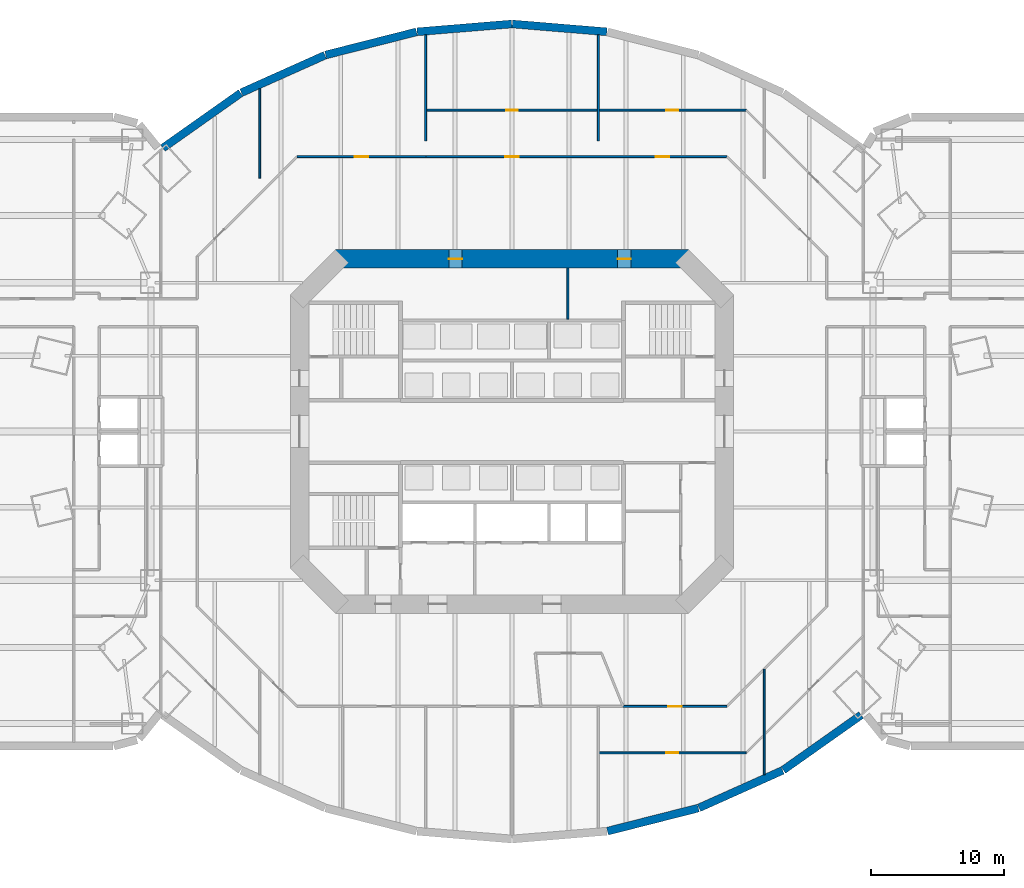
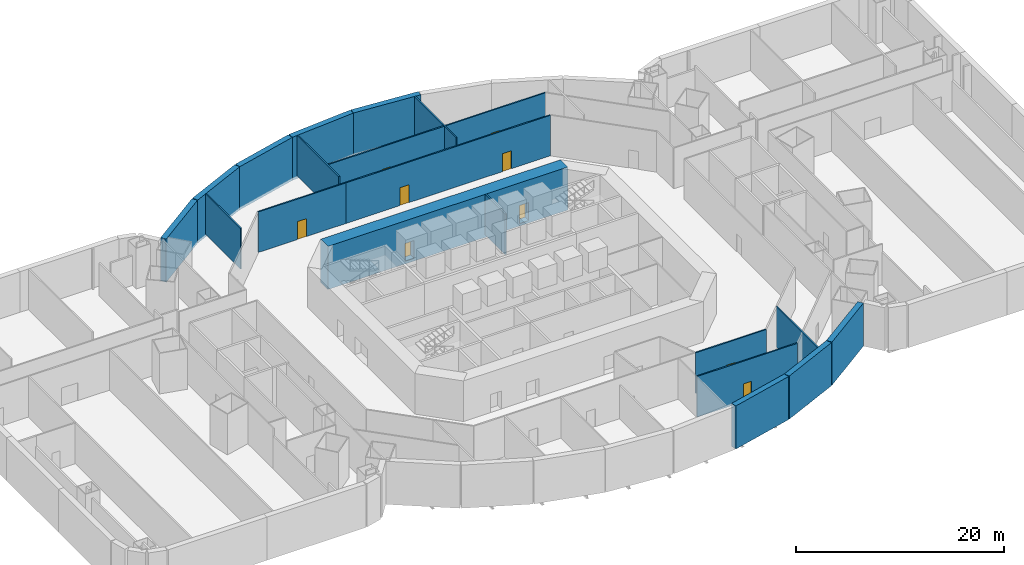
# One storey, part 6 of 11: 19 walls, 9 doors, 9 openings.
"""IFC4 building model written with IfcOpenShell, lengths in metres."""

import ifcopenshell
import ifcopenshell.guid

model = None  # the IFC model being written
_history = None  # IfcOwnerHistory: only IFC2X3 demands one
_inside = {}  # id of a spatial element -> (the spatial element, [elements in it])
_under = {}  # id of a project, library or spatial element -> (it, [spatial elements below it])
_declared = {}  # id of a project -> (the project, [libraries it declares])
_typed = {}  # id of a type object -> (the type object, [elements of that type])
_made_of = {}  # id of a material, layer set ... -> (it, [elements and type objects made of it])


def new_model(schema):
    """Start an empty IFC model of exactly this schema.

    Asked for "IFC4X3", IfcOpenShell would pick the latest addendum, in which some entities
    have other attributes; the version numbers below select the first issue.
    IFC2X3 requires an IfcOwnerHistory on every rooted entity: one is made here for all.
    """
    global model, _history
    if schema == "IFC4X3":
        model = ifcopenshell.file(schema_version=(4, 3, 0, 0))
    else:
        model = ifcopenshell.file(schema=schema)
    _inside.clear()
    _under.clear()
    _declared.clear()
    _typed.clear()
    _made_of.clear()
    _history = None
    if model.schema == "IFC2X3":
        org = make("IfcOrganization", Name="unknown")
        user = make(
            "IfcPersonAndOrganization",
            ThePerson=make("IfcPerson", FamilyName="unknown"),
            TheOrganization=org,
        )
        app = make(
            "IfcApplication",
            ApplicationDeveloper=org,
            Version="unknown",
            ApplicationFullName="unknown",
            ApplicationIdentifier="unknown",
        )
        _history = make(
            "IfcOwnerHistory",
            OwningUser=user,
            OwningApplication=app,
            ChangeAction="ADDED",
            CreationDate=0,
        )
    return model


def make(cls, **values):
    """One entity of the class cls with the attributes given. An attribute that is None is left unset."""
    return model.create_entity(
        cls, **{name: value for name, value in values.items() if value is not None}
    )


def rooted(cls, **values):
    """An entity with a GlobalId (a new one), such as an element, a storey or a relation."""
    return make(cls, GlobalId=ifcopenshell.guid.new(), OwnerHistory=_history, **values)


def si_unit(unit_type, name, prefix=None):
    """IfcSIUnit, for example si_unit("LENGTHUNIT", "METRE", prefix="MILLI")."""
    return make("IfcSIUnit", UnitType=unit_type, Prefix=prefix, Name=name)


def assignment(units):
    """IfcUnitAssignment: the units of a project."""
    return None if units is None else make("IfcUnitAssignment", Units=units)


def point(xyz):
    """IfcCartesianPoint."""
    return None if xyz is None else make("IfcCartesianPoint", Coordinates=xyz)


def direction(xyz):
    """IfcDirection."""
    return None if xyz is None else make("IfcDirection", DirectionRatios=xyz)


def frame(location, z_axis=None, x_axis=None):
    """IfcAxis2Placement3D, a coordinate frame: its origin and axes. An axis left out is left unset."""
    return make(
        "IfcAxis2Placement3D",
        Location=point(location),
        Axis=direction(z_axis),
        RefDirection=direction(x_axis),
    )


def frame_2d(location, x_axis=None):
    """IfcAxis2Placement2D, a coordinate frame in the plane: its origin and x axis."""
    return make(
        "IfcAxis2Placement2D", Location=point(location), RefDirection=direction(x_axis)
    )


def origin():
    """The frame at (0, 0, 0) with its axes left unset."""
    return frame((0.0, 0.0, 0.0))


def place(relative_to, where):
    """IfcLocalPlacement: puts the frame where relative to a parent placement (None: the world)."""
    return make(
        "IfcLocalPlacement", PlacementRelTo=relative_to, RelativePlacement=where
    )


def context(
    kind, dimensions, precision=None, world=None, true_north=None, identifier=None
):
    """IfcGeometricRepresentationContext, for example the 3D "Model" context."""
    return make(
        "IfcGeometricRepresentationContext",
        ContextIdentifier=identifier,
        ContextType=kind,
        CoordinateSpaceDimension=dimensions,
        Precision=precision,
        WorldCoordinateSystem=world,
        TrueNorth=true_north,
    )


def subcontext(parent, identifier, kind, view, scale=None):
    """IfcGeometricRepresentationSubContext, for example "Body" below "Model"."""
    return make(
        "IfcGeometricRepresentationSubContext",
        ContextIdentifier=identifier,
        ContextType=kind,
        ParentContext=parent,
        TargetScale=scale,
        TargetView=view,
    )


def project(units=None, contexts=None):
    """IfcProject with its units and contexts."""
    return rooted(
        "IfcProject",
        Name="project",
        RepresentationContexts=contexts,
        UnitsInContext=assignment(units),
    )


def spatial(cls, under=None, at=None, **own):
    """A site, building, storey or space (cls), placed at a placement, below another one or the project."""
    s = rooted(cls, ObjectPlacement=at, **own)
    if under is not None:
        _under.setdefault(under.id(), (under, []))[1].append(s)
    return s


def profile(cls, at=None, kind="AREA", **sizes):
    """A parametric profile (cls). Its sizes go by their IFC names, for example OverallWidth=200.0."""
    return make(cls, ProfileType=kind, Position=at, **sizes)


def rectangle(**sizes):
    """IfcRectangleProfileDef."""
    return profile("IfcRectangleProfileDef", **sizes)


def extrude(swept, where, along, depth):
    """IfcExtrudedAreaSolid: the profile swept, set in the frame where, extruded along a direction by depth."""
    return make(
        "IfcExtrudedAreaSolid",
        SweptArea=swept,
        Position=where,
        ExtrudedDirection=direction(along),
        Depth=depth,
    )


def shape(context_of_items, identifier, shape_type, items):
    """IfcShapeRepresentation: the items that make up one representation, for example the "Body"."""
    return make(
        "IfcShapeRepresentation",
        ContextOfItems=context_of_items,
        RepresentationIdentifier=identifier,
        RepresentationType=shape_type,
        Items=items,
    )


def material(Name=None, Category=None):
    """IfcMaterial."""
    return make("IfcMaterial", Name=Name, Category=Category)


def layer(
    of_material, thickness, ventilated=None, Name=None, Category=None, Priority=None
):
    """IfcMaterialLayer: one layer of a wall or slab, of a material (None: an air gap)."""
    return make(
        "IfcMaterialLayer",
        Material=of_material,
        LayerThickness=thickness,
        IsVentilated=ventilated,
        Name=Name,
        Category=Category,
        Priority=Priority,
    )


def layer_set(layers, Name=None):
    """IfcMaterialLayerSet."""
    return make("IfcMaterialLayerSet", MaterialLayers=layers, LayerSetName=Name)


def made_of(thing, what):
    """Note that an element or type object is made of a material, layer set ...; save() writes the relation."""
    if what is not None:
        _made_of.setdefault(what.id(), (what, []))[1].append(thing)
    return thing


def type_object(cls, material=None, **own):
    """A type object (cls), such as IfcWallType, which elements share."""
    return made_of(rooted(cls, **own), material)


def element(
    cls,
    number,
    at=None,
    inside=None,
    cuts=None,
    type_object=None,
    material=None,
    context=None,
    identifier="Body",
    shape_type=None,
    held_by="IfcProductDefinitionShape",
    body=None,
    shapes=None,
    **own,
):
    """One element of the class cls, such as IfcWall. Its Tag is "e" and its number.

    at: its placement. inside: the storey or other place that contains it. cuts: it is an
    opening in that element (IfcRelVoidsElement). A single representation is given by context,
    identifier, shape_type and body (its items); several are given by shapes. held_by: the class
    of the entity that holds the representations. save() writes the other relations.
    """
    e = rooted(cls, Tag="e%d" % number, ObjectPlacement=at, **own)
    if body is not None:
        shapes = [shape(context, identifier, shape_type, body)]
    if shapes is not None:
        e.Representation = make(held_by, Representations=shapes)
    if inside is not None:
        _inside.setdefault(inside.id(), (inside, []))[1].append(e)
    if cuts is not None:
        rooted(
            "IfcRelVoidsElement", RelatingBuildingElement=cuts, RelatedOpeningElement=e
        )
    if type_object is not None:
        _typed.setdefault(type_object.id(), (type_object, []))[1].append(e)
    return made_of(e, material)


def fill(opening, filler):
    """IfcRelFillsElement: the door or window that sits in an opening."""
    return rooted(
        "IfcRelFillsElement",
        RelatingOpeningElement=opening,
        RelatedBuildingElement=filler,
    )


def aggregate(whole, parts):
    """IfcRelAggregates: a whole, such as a stair, and the parts it consists of."""
    return rooted("IfcRelAggregates", RelatingObject=whole, RelatedObjects=parts)


def save(model, path):
    """Write the relations noted so far, then the file.

    IfcRelAggregates (storeys below a building ...), IfcRelContainedInSpatialStructure (elements
    in a storey), IfcRelDefinesByType, IfcRelAssociatesMaterial and IfcRelDeclares: one each for
    every whole, place, type object, material and project.
    """
    for whole, parts in _under.values():
        aggregate(whole, parts)
    for where, things in _inside.values():
        rooted(
            "IfcRelContainedInSpatialStructure",
            RelatedElements=things,
            RelatingStructure=where,
        )
    for kind, things in _typed.values():
        rooted("IfcRelDefinesByType", RelatedObjects=things, RelatingType=kind)
    for what, things in _made_of.values():
        rooted("IfcRelAssociatesMaterial", RelatedObjects=things, RelatingMaterial=what)
    for by, libraries in _declared.values():
        rooted("IfcRelDeclares", RelatingContext=by, RelatedDefinitions=libraries)
    model.write(path)


model = new_model("IFC4")

# Units and contexts
model_context = context("Model", 3, precision=1e-05, world=origin(), true_north=direction((0.0, 1.0)))
body_context = subcontext(model_context, "Body", "Model", "MODEL_VIEW")
ifc_project = project(units=[si_unit("LENGTHUNIT", "METRE"), si_unit("AREAUNIT", "SQUARE_METRE"), si_unit("VOLUMEUNIT", "CUBIC_METRE"), si_unit("PLANEANGLEUNIT", "RADIAN"), si_unit("MASSUNIT", "GRAM", prefix="KILO")], contexts=[model_context])

# Site, building, storey
site_placement = place(None, origin())
site = spatial("IfcSite", under=ifc_project, at=site_placement, CompositionType="ELEMENT")
building_placement = place(site_placement, origin())
building = spatial("IfcBuilding", under=site, at=building_placement, Name="Marenthal Gate Tower", CompositionType="ELEMENT")
storey_placement = place(building_placement, frame((0.0, 0.0, -5.0)))
storey = spatial("IfcBuildingStorey", under=building, at=storey_placement, Name="B1", CompositionType="ELEMENT", Elevation=-5.0)

# Walls
ifc_material_1 = material(Name="Concrete 50 MPa", Category="concrete")
ifc_layer_1 = layer(ifc_material_1, 0.60009765625)
ifc_layer_set_1 = layer_set([ifc_layer_1], Name="BASEMENT WALL 600")
wall_type_1 = type_object("IfcWallType", Name="BASEMENT WALL 600", PredefinedType="SOLIDWALL", material=ifc_layer_set_1)
wall_1_placement = place(storey_placement, frame((7.191650390625, -30.1025390625, -0.300048828125), z_axis=(0.0, 0.0, 1.0), x_axis=(0.96919567172, 0.246292001332, 0.0)))
element("IfcWall", 1, at=wall_1_placement, inside=storey, type_object=wall_type_1, Name="BW-B1-06", PredefinedType="SOLIDWALL", context=body_context, shape_type="SweptSolid", body=[
    extrude(rectangle(XDim=7.061767578125, YDim=0.60009765625, at=frame_2d((3.53076171875, 0.0))), origin(), (0.0, 0.0, 1.0), 5.050048828125),
])
wall_2_placement = place(storey_placement, frame((14.0830078125, -28.346923828125, -0.300048828125), z_axis=(0.0, 0.0, 1.0), x_axis=(0.912658583427, 0.40872277903, 0.0)))
element("IfcWall", 2, at=wall_2_placement, inside=storey, type_object=wall_type_1, Name="BW-B1-07", PredefinedType="SOLIDWALL", context=body_context, shape_type="SweptSolid", body=[
    extrude(rectangle(XDim=6.902587890625, YDim=0.60009765625, at=frame_2d((3.451171875, 0.0))), origin(), (0.0, 0.0, 1.0), 5.050048828125),
])
wall_3_placement = place(storey_placement, frame((20.431884765625, -25.497802734375, -0.300048828125), z_axis=(0.0, 0.0, 1.0), x_axis=(0.816770877084, 0.576962160238, 0.0)))
element("IfcWall", 3, at=wall_3_placement, inside=storey, type_object=wall_type_1, Name="BW-B1-08", PredefinedType="SOLIDWALL", context=body_context, shape_type="SweptSolid", body=[
    extrude(rectangle(XDim=7.180419921875, YDim=0.60009765625, at=frame_2d((3.59033203125, 0.0))), origin(), (0.0, 0.0, 1.0), 5.050048828125),
])
wall_4_placement = place(storey_placement, frame((7.1455078125, 30.110107421875, -0.300048828125), z_axis=(0.0, 0.0, 1.0), x_axis=(-0.996609324414, 0.082279125491, 0.0)))
element("IfcWall", 4, at=wall_4_placement, inside=storey, type_object=wall_type_1, Name="BW-B1-30", PredefinedType="SOLIDWALL", context=body_context, shape_type="SweptSolid", body=[
    extrude(rectangle(XDim=7.14501953125, YDim=0.60009765625, at=frame_2d((3.572509765625, 0.0))), origin(), (0.0, 0.0, 1.0), 5.050048828125),
])
wall_5_placement = place(storey_placement, frame((-0.02294921875, 30.697998046875, -0.300048828125), z_axis=(0.0, 0.0, 1.0), x_axis=(-0.99661235683, -0.082242386961, 0.0)))
element("IfcWall", 5, at=wall_5_placement, inside=storey, type_object=wall_type_1, Name="BW-B1-31", PredefinedType="SOLIDWALL", context=body_context, shape_type="SweptSolid", body=[
    extrude(rectangle(XDim=7.145263671875, YDim=0.60009765625, at=frame_2d((3.57275390625, 0.0))), origin(), (0.0, 0.0, 1.0), 5.050048828125),
])
wall_6_placement = place(storey_placement, frame((-7.191650390625, 30.1025390625, -0.300048828125), z_axis=(0.0, 0.0, 1.0), x_axis=(-0.96919567172, -0.246292001332, 0.0)))
element("IfcWall", 6, at=wall_6_placement, inside=storey, type_object=wall_type_1, Name="BW-B1-32", PredefinedType="SOLIDWALL", context=body_context, shape_type="SweptSolid", body=[
    extrude(rectangle(XDim=7.061767578125, YDim=0.60009765625, at=frame_2d((3.53076171875, 0.0))), origin(), (0.0, 0.0, 1.0), 5.050048828125),
])
wall_7_placement = place(storey_placement, frame((-14.0830078125, 28.346923828125, -0.300048828125), z_axis=(0.0, 0.0, 1.0), x_axis=(-0.912658583427, -0.40872277903, 0.0)))
element("IfcWall", 7, at=wall_7_placement, inside=storey, type_object=wall_type_1, Name="BW-B1-33", PredefinedType="SOLIDWALL", context=body_context, shape_type="SweptSolid", body=[
    extrude(rectangle(XDim=6.902587890625, YDim=0.60009765625, at=frame_2d((3.451171875, 0.0))), origin(), (0.0, 0.0, 1.0), 5.050048828125),
])
wall_8_placement = place(storey_placement, frame((-20.431884765625, 25.497802734375, -0.300048828125), z_axis=(0.0, 0.0, 1.0), x_axis=(-0.816770877084, -0.576962160238, 0.0)))
element("IfcWall", 8, at=wall_8_placement, inside=storey, type_object=wall_type_1, Name="BW-B1-34", PredefinedType="SOLIDWALL", context=body_context, shape_type="SweptSolid", body=[
    extrude(rectangle(XDim=7.180419921875, YDim=0.60009765625, at=frame_2d((3.59033203125, 0.0))), origin(), (0.0, 0.0, 1.0), 5.050048828125),
])

# Wall, openings, doors
ifc_material_2 = material(Name="Concrete 60 MPa", Category="concrete")
ifc_layer_2 = layer(ifc_material_2, 1.39990234375)
ifc_layer_set_2 = layer_set([ifc_layer_2], Name="Core shear wall 1400")
wall_type_2 = type_object("IfcWallType", Name="Core shear wall 1400", PredefinedType="SHEAR", material=ifc_layer_set_2)
wall_9_placement = place(storey_placement, frame((13.289794921875, 13.0, -0.300048828125), z_axis=(0.0, 0.0, 1.0), x_axis=(-1.0, 0.0, 0.0)))
wall_9 = element("IfcWall", 9, at=wall_9_placement, inside=storey, type_object=wall_type_2, Name="Core wall 04", PredefinedType="SHEAR", context=body_context, shape_type="SweptSolid", body=[
    extrude(rectangle(XDim=26.57958984375, YDim=1.39990234375, at=frame_2d((13.289794921875, 0.0))), origin(), (0.0, 0.0, 1.0), 5.050048828125),
])
opening_1_placement = place(wall_9_placement, frame((17.045166015625, 0.0, 0.300048828125)))
opening_1 = element("IfcOpeningElement", 10, at=opening_1_placement, cuts=wall_9, Name="Opening D005.01", PredefinedType="OPENING", context=body_context, shape_type="SweptSolid", body=[
    extrude(rectangle(XDim=1.0, YDim=2.10009765625, at=frame_2d((0.5, 1.050048828125))), frame((0.0, 0.7099609375, 0.0), z_axis=(0.0, -1.0, 0.0), x_axis=(1.0, 0.0, 0.0)), (0.0, 0.0, 1.0), 1.419921875),
])
opening_2_placement = place(wall_9_placement, frame((4.334716796875, 0.0, 0.300048828125)))
opening_2 = element("IfcOpeningElement", 11, at=opening_2_placement, cuts=wall_9, Name="Opening D005.02", PredefinedType="OPENING", context=body_context, shape_type="SweptSolid", body=[
    extrude(rectangle(XDim=1.0, YDim=2.10009765625, at=frame_2d((0.5, 1.050048828125))), frame((0.0, 0.7099609375, 0.0), z_axis=(0.0, -1.0, 0.0), x_axis=(1.0, 0.0, 0.0)), (0.0, 0.0, 1.0), 1.419921875),
])
ifc_material_3 = material(Name="Steel fire door", Category="steel")
door_type_1 = type_object("IfcDoorType", Name="Fire door FD 45 1000 x 2100", OperationType="NOTDEFINED", PredefinedType="DOOR", material=ifc_material_3)
door_1_placement = place(opening_1_placement, origin())
door_1 = element("IfcDoor", 12, at=door_1_placement, inside=storey, type_object=door_type_1, Name="Door D005.01", OperationType="SINGLE_SWING_RIGHT", OverallHeight=2.10009765625, OverallWidth=1.0, PredefinedType="DOOR", context=body_context, shape_type="SweptSolid", body=[
    extrude(rectangle(XDim=1.0, YDim=2.10009765625, at=frame_2d((0.5, 1.050048828125))), frame((0.0, 0.02490234375, 0.0), z_axis=(0.0, -1.0, 0.0), x_axis=(1.0, 0.0, 0.0)), (0.0, 0.0, 1.0), 0.050048828125),
])
fill(opening_1, door_1)
door_2_placement = place(opening_2_placement, origin())
door_2 = element("IfcDoor", 13, at=door_2_placement, inside=storey, type_object=door_type_1, Name="Door D005.02", OperationType="SINGLE_SWING_RIGHT", OverallHeight=2.10009765625, OverallWidth=1.0, PredefinedType="DOOR", context=body_context, shape_type="SweptSolid", body=[
    extrude(rectangle(XDim=1.0, YDim=2.10009765625, at=frame_2d((0.5, 1.050048828125))), frame((0.0, 0.02490234375, 0.0), z_axis=(0.0, -1.0, 0.0), x_axis=(1.0, 0.0, 0.0)), (0.0, 0.0, 1.0), 0.050048828125),
])
fill(opening_2, door_2)

# Wall
ifc_material_4 = material(Name="Gypsum board on steel studs", Category="steel")
ifc_layer_3 = layer(ifc_material_4, 0.14990234375)
ifc_layer_set_3 = layer_set([ifc_layer_3], Name="Partition 150")
wall_type_3 = type_object("IfcWallType", Name="Partition 150", PredefinedType="PARTITIONING", material=ifc_layer_set_3)
wall_10_placement = place(storey_placement, frame((4.199951171875, 8.4599609375, 0.0), z_axis=(0.0, 0.0, 1.0), x_axis=(0.0, 1.0, 0.0)))
element("IfcWall", 14, at=wall_10_placement, inside=storey, type_object=wall_type_3, Name="Partition wall 39", PredefinedType="PARTITIONING", context=body_context, shape_type="SweptSolid", body=[
    extrude(rectangle(XDim=3.840087890625, YDim=0.14990234375, at=frame_2d((1.919921875, 0.0))), origin(), (0.0, 0.0, 1.0), 4.75),
])

# Wall, opening, door
wall_11_placement = place(storey_placement, frame((-16.189453125, 20.699951171875, 0.0), z_axis=(0.0, 0.0, 1.0), x_axis=(1.0, 0.0, 0.0)))
wall_11 = element("IfcWall", 15, at=wall_11_placement, inside=storey, type_object=wall_type_3, Name="Partition wall 63", PredefinedType="PARTITIONING", context=body_context, shape_type="SweptSolid", body=[
    extrude(rectangle(XDim=9.6943359375, YDim=0.14990234375, at=frame_2d((4.84716796875, 0.0))), origin(), (0.0, 0.0, 1.0), 4.75),
])
opening_3_placement = place(wall_11_placement, frame((4.3447265625, 0.0, 0.0)))
opening_3 = element("IfcOpeningElement", 16, at=opening_3_placement, cuts=wall_11, Name="Opening D005.10", PredefinedType="OPENING", context=body_context, shape_type="SweptSolid", body=[
    extrude(rectangle(XDim=1.0, YDim=2.10009765625, at=frame_2d((0.5, 1.050048828125))), frame((0.0, 0.0849609375, 0.0), z_axis=(0.0, -1.0, 0.0), x_axis=(1.0, 0.0, 0.0)), (0.0, 0.0, 1.0), 0.169921875),
])
door_3_placement = place(opening_3_placement, origin())
door_3 = element("IfcDoor", 17, at=door_3_placement, inside=storey, type_object=door_type_1, Name="Door D005.10", OperationType="SINGLE_SWING_RIGHT", OverallHeight=2.10009765625, OverallWidth=1.0, PredefinedType="DOOR", context=body_context, shape_type="SweptSolid", body=[
    extrude(rectangle(XDim=1.0, YDim=2.10009765625, at=frame_2d((0.5, 1.050048828125))), frame((0.0, 0.02490234375, 0.0), z_axis=(0.0, -1.0, 0.0), x_axis=(1.0, 0.0, 0.0)), (0.0, 0.0, 1.0), 0.050048828125),
])
fill(opening_3, door_3)

# Walls
wall_12_placement = place(storey_placement, frame((-6.5, 21.89990234375, 0.0), z_axis=(0.0, 0.0, 1.0), x_axis=(0.0, 1.0, 0.0)))
element("IfcWall", 18, at=wall_12_placement, inside=storey, type_object=wall_type_3, Name="Partition wall 68", PredefinedType="PARTITIONING", context=body_context, shape_type="SweptSolid", body=[
    extrude(rectangle(XDim=7.97119140625, YDim=0.14990234375, at=frame_2d((3.985595703125, 0.0))), origin(), (0.0, 0.0, 1.0), 4.75),
])
wall_13_placement = place(storey_placement, frame((-19.0, 19.08935546875, 0.0), z_axis=(0.0, 0.0, 1.0), x_axis=(0.0, 1.0, 0.0)))
element("IfcWall", 19, at=wall_13_placement, inside=storey, type_object=wall_type_3, Name="Partition wall 69", PredefinedType="PARTITIONING", context=body_context, shape_type="SweptSolid", body=[
    extrude(rectangle(XDim=6.745849609375, YDim=0.14990234375, at=frame_2d((3.373046875, 0.0))), origin(), (0.0, 0.0, 1.0), 4.75),
])

# Wall, opening, door
wall_14_placement = place(storey_placement, frame((6.5, -24.199951171875, 0.0), z_axis=(0.0, 0.0, 1.0), x_axis=(1.0, 0.0, 0.0)))
wall_14 = element("IfcWall", 20, at=wall_14_placement, inside=storey, type_object=wall_type_3, Name="Partition wall 79", PredefinedType="PARTITIONING", context=body_context, shape_type="SweptSolid", body=[
    extrude(rectangle(XDim=11.13916015625, YDim=0.14990234375, at=frame_2d((5.569580078125, 0.0))), origin(), (0.0, 0.0, 1.0), 4.75),
])
opening_4_placement = place(wall_14_placement, frame((5.119384765625, 0.0, 0.0)))
opening_4 = element("IfcOpeningElement", 21, at=opening_4_placement, cuts=wall_14, Name="Opening D011.03", PredefinedType="OPENING", context=body_context, shape_type="SweptSolid", body=[
    extrude(rectangle(XDim=0.89990234375, YDim=2.10009765625, at=frame_2d((0.449951171875, 1.050048828125))), frame((0.0, 0.0849609375, 0.0), z_axis=(0.0, -1.0, 0.0), x_axis=(1.0, 0.0, 0.0)), (0.0, 0.0, 1.0), 0.169921875),
])
ifc_material_5 = material(Name="Timber door", Category="wood")
door_type_2 = type_object("IfcDoorType", Name="Door 900 x 2100", OperationType="NOTDEFINED", PredefinedType="DOOR", material=ifc_material_5)
door_4_placement = place(opening_4_placement, origin())
door_4 = element("IfcDoor", 22, at=door_4_placement, inside=storey, type_object=door_type_2, Name="Door D011.03", OperationType="SINGLE_SWING_RIGHT", OverallHeight=2.10009765625, OverallWidth=0.89990234375, PredefinedType="DOOR", context=body_context, shape_type="SweptSolid", body=[
    extrude(rectangle(XDim=0.89990234375, YDim=2.10009765625, at=frame_2d((0.449951171875, 1.050048828125))), frame((0.0, 0.02490234375, 0.0), z_axis=(0.0, -1.0, 0.0), x_axis=(1.0, 0.0, 0.0)), (0.0, 0.0, 1.0), 0.050048828125),
])
fill(opening_4, door_4)

wall_15_placement = place(storey_placement, frame((8.36328125, -20.699951171875, 0.0), z_axis=(0.0, 0.0, 1.0), x_axis=(1.0, 0.0, 0.0)))
wall_15 = element("IfcWall", 23, at=wall_15_placement, inside=storey, type_object=wall_type_3, Name="Partition wall 80", PredefinedType="PARTITIONING", context=body_context, shape_type="SweptSolid", body=[
    extrude(rectangle(XDim=7.826171875, YDim=0.14990234375, at=frame_2d((3.9130859375, 0.0))), origin(), (0.0, 0.0, 1.0), 4.75),
])
opening_5_placement = place(wall_15_placement, frame((3.4130859375, 0.0, 0.0)))
opening_5 = element("IfcOpeningElement", 24, at=opening_5_placement, cuts=wall_15, Name="Opening D012.07", PredefinedType="OPENING", context=body_context, shape_type="SweptSolid", body=[
    extrude(rectangle(XDim=1.0, YDim=2.10009765625, at=frame_2d((0.5, 1.050048828125))), frame((0.0, 0.0849609375, 0.0), z_axis=(0.0, -1.0, 0.0), x_axis=(1.0, 0.0, 0.0)), (0.0, 0.0, 1.0), 0.169921875),
])
ifc_material_6 = material(Name="Timber door", Category="wood")
door_type_3 = type_object("IfcDoorType", Name="Door 1000 x 2100", OperationType="NOTDEFINED", PredefinedType="DOOR", material=ifc_material_6)
door_5_placement = place(opening_5_placement, frame((1.0, 0.0, 0.0), z_axis=(0.0, 0.0, 1.0), x_axis=(-1.0, 0.0, 0.0)))
door_5 = element("IfcDoor", 25, at=door_5_placement, inside=storey, type_object=door_type_3, Name="Door D012.07", OperationType="SINGLE_SWING_LEFT", OverallHeight=2.10009765625, OverallWidth=1.0, PredefinedType="DOOR", context=body_context, shape_type="SweptSolid", body=[
    extrude(rectangle(XDim=1.0, YDim=2.10009765625, at=frame_2d((0.5, 1.050048828125))), frame((0.0, 0.02490234375, 0.0), z_axis=(0.0, -1.0, 0.0), x_axis=(1.0, 0.0, 0.0)), (0.0, 0.0, 1.0), 0.050048828125),
])
fill(opening_5, door_5)

# Wall, openings, doors
wall_16_placement = place(storey_placement, frame((-6.5048828125, 20.699951171875, 0.0), z_axis=(0.0, 0.0, 1.0), x_axis=(1.0, 0.0, 0.0)))
wall_16 = element("IfcWall", 26, at=wall_16_placement, inside=storey, type_object=wall_type_3, Name="Partition wall 91", PredefinedType="PARTITIONING", context=body_context, shape_type="SweptSolid", body=[
    extrude(rectangle(XDim=22.6943359375, YDim=0.14990234375, at=frame_2d((11.34716796875, 0.0))), origin(), (0.0, 0.0, 1.0), 4.75),
])
opening_6_placement = place(wall_16_placement, frame((6.0048828125, 0.0, 0.0)))
opening_6 = element("IfcOpeningElement", 27, at=opening_6_placement, cuts=wall_16, Name="Opening D012.10", PredefinedType="OPENING", context=body_context, shape_type="SweptSolid", body=[
    extrude(rectangle(XDim=1.0, YDim=2.10009765625, at=frame_2d((0.5, 1.050048828125))), frame((0.0, 0.0849609375, 0.0), z_axis=(0.0, -1.0, 0.0), x_axis=(1.0, 0.0, 0.0)), (0.0, 0.0, 1.0), 0.169921875),
])
opening_7_placement = place(wall_16_placement, frame((17.349609375, 0.0, 0.0)))
opening_7 = element("IfcOpeningElement", 28, at=opening_7_placement, cuts=wall_16, Name="Opening D012.11", PredefinedType="OPENING", context=body_context, shape_type="SweptSolid", body=[
    extrude(rectangle(XDim=1.0, YDim=2.10009765625, at=frame_2d((0.5, 1.050048828125))), frame((0.0, 0.0849609375, 0.0), z_axis=(0.0, -1.0, 0.0), x_axis=(1.0, 0.0, 0.0)), (0.0, 0.0, 1.0), 0.169921875),
])
door_6_placement = place(opening_6_placement, origin())
door_6 = element("IfcDoor", 29, at=door_6_placement, inside=storey, type_object=door_type_3, Name="Door D012.10", OperationType="SINGLE_SWING_RIGHT", OverallHeight=2.10009765625, OverallWidth=1.0, PredefinedType="DOOR", context=body_context, shape_type="SweptSolid", body=[
    extrude(rectangle(XDim=1.0, YDim=2.10009765625, at=frame_2d((0.5, 1.050048828125))), frame((0.0, 0.02490234375, 0.0), z_axis=(0.0, -1.0, 0.0), x_axis=(1.0, 0.0, 0.0)), (0.0, 0.0, 1.0), 0.050048828125),
])
fill(opening_6, door_6)
door_7_placement = place(opening_7_placement, origin())
door_7 = element("IfcDoor", 30, at=door_7_placement, inside=storey, type_object=door_type_3, Name="Door D012.11", OperationType="SINGLE_SWING_RIGHT", OverallHeight=2.10009765625, OverallWidth=1.0, PredefinedType="DOOR", context=body_context, shape_type="SweptSolid", body=[
    extrude(rectangle(XDim=1.0, YDim=2.10009765625, at=frame_2d((0.5, 1.050048828125))), frame((0.0, 0.02490234375, 0.0), z_axis=(0.0, -1.0, 0.0), x_axis=(1.0, 0.0, 0.0)), (0.0, 0.0, 1.0), 0.050048828125),
])
fill(opening_7, door_7)

wall_17_placement = place(storey_placement, frame((-6.5, 24.199951171875, 0.0), z_axis=(0.0, 0.0, 1.0), x_axis=(1.0, 0.0, 0.0)))
wall_17 = element("IfcWall", 31, at=wall_17_placement, inside=storey, type_object=wall_type_3, Name="Partition wall 92", PredefinedType="PARTITIONING", context=body_context, shape_type="SweptSolid", body=[
    extrude(rectangle(XDim=24.13916015625, YDim=0.14990234375, at=frame_2d((12.069580078125, 0.0))), origin(), (0.0, 0.0, 1.0), 4.75),
])
opening_8_placement = place(wall_17_placement, frame((6.050048828125, 0.0, 0.0)))
opening_8 = element("IfcOpeningElement", 32, at=opening_8_placement, cuts=wall_17, Name="Opening D011.06", PredefinedType="OPENING", context=body_context, shape_type="SweptSolid", body=[
    extrude(rectangle(XDim=0.89990234375, YDim=2.10009765625, at=frame_2d((0.449951171875, 1.050048828125))), frame((0.0, 0.0849609375, 0.0), z_axis=(0.0, -1.0, 0.0), x_axis=(1.0, 0.0, 0.0)), (0.0, 0.0, 1.0), 0.169921875),
])
opening_9_placement = place(wall_17_placement, frame((18.11962890625, 0.0, 0.0)))
opening_9 = element("IfcOpeningElement", 33, at=opening_9_placement, cuts=wall_17, Name="Opening D011.07", PredefinedType="OPENING", context=body_context, shape_type="SweptSolid", body=[
    extrude(rectangle(XDim=0.89990234375, YDim=2.10009765625, at=frame_2d((0.449951171875, 1.050048828125))), frame((0.0, 0.0849609375, 0.0), z_axis=(0.0, -1.0, 0.0), x_axis=(1.0, 0.0, 0.0)), (0.0, 0.0, 1.0), 0.169921875),
])
door_8_placement = place(opening_8_placement, frame((0.89990234375, 0.0, 0.0), z_axis=(0.0, 0.0, 1.0), x_axis=(-1.0, 0.0, 0.0)))
door_8 = element("IfcDoor", 34, at=door_8_placement, inside=storey, type_object=door_type_2, Name="Door D011.06", OperationType="SINGLE_SWING_LEFT", OverallHeight=2.10009765625, OverallWidth=0.89990234375, PredefinedType="DOOR", context=body_context, shape_type="SweptSolid", body=[
    extrude(rectangle(XDim=0.89990234375, YDim=2.10009765625, at=frame_2d((0.449951171875, 1.050048828125))), frame((0.0, 0.02490234375, 0.0), z_axis=(0.0, -1.0, 0.0), x_axis=(1.0, 0.0, 0.0)), (0.0, 0.0, 1.0), 0.050048828125),
])
fill(opening_8, door_8)
door_9_placement = place(opening_9_placement, frame((0.89990234375, 0.0, 0.0), z_axis=(0.0, 0.0, 1.0), x_axis=(-1.0, 0.0, 0.0)))
door_9 = element("IfcDoor", 35, at=door_9_placement, inside=storey, type_object=door_type_2, Name="Door D011.07", OperationType="SINGLE_SWING_LEFT", OverallHeight=2.10009765625, OverallWidth=0.89990234375, PredefinedType="DOOR", context=body_context, shape_type="SweptSolid", body=[
    extrude(rectangle(XDim=0.89990234375, YDim=2.10009765625, at=frame_2d((0.449951171875, 1.050048828125))), frame((0.0, 0.02490234375, 0.0), z_axis=(0.0, -1.0, 0.0), x_axis=(1.0, 0.0, 0.0)), (0.0, 0.0, 1.0), 0.050048828125),
])
fill(opening_9, door_9)

# Walls
wall_18_placement = place(storey_placement, frame((19.0, -25.835205078125, 0.0), z_axis=(0.0, 0.0, 1.0), x_axis=(0.0, 1.0, 0.0)))
element("IfcWall", 36, at=wall_18_placement, inside=storey, type_object=wall_type_3, Name="Partition wall 05", PredefinedType="PARTITIONING", context=body_context, shape_type="SweptSolid", body=[
    extrude(rectangle(XDim=7.94580078125, YDim=0.14990234375, at=frame_2d((3.972900390625, 0.0))), origin(), (0.0, 0.0, 1.0), 4.75),
])
wall_19_placement = place(storey_placement, frame((6.5, 21.89990234375, 0.0), z_axis=(0.0, 0.0, 1.0), x_axis=(0.0, 1.0, 0.0)))
element("IfcWall", 37, at=wall_19_placement, inside=storey, type_object=wall_type_3, Name="Partition wall 07", PredefinedType="PARTITIONING", context=body_context, shape_type="SweptSolid", body=[
    extrude(rectangle(XDim=7.97119140625, YDim=0.14990234375, at=frame_2d((3.985595703125, 0.0))), origin(), (0.0, 0.0, 1.0), 4.75),
])

save(model, "model.ifc")
